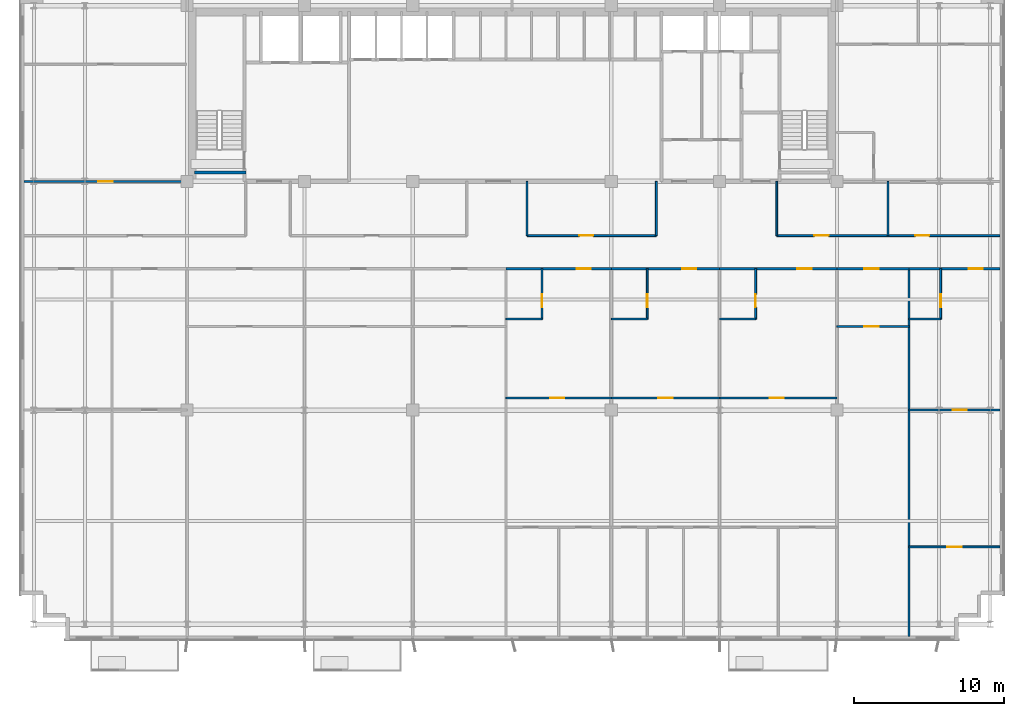
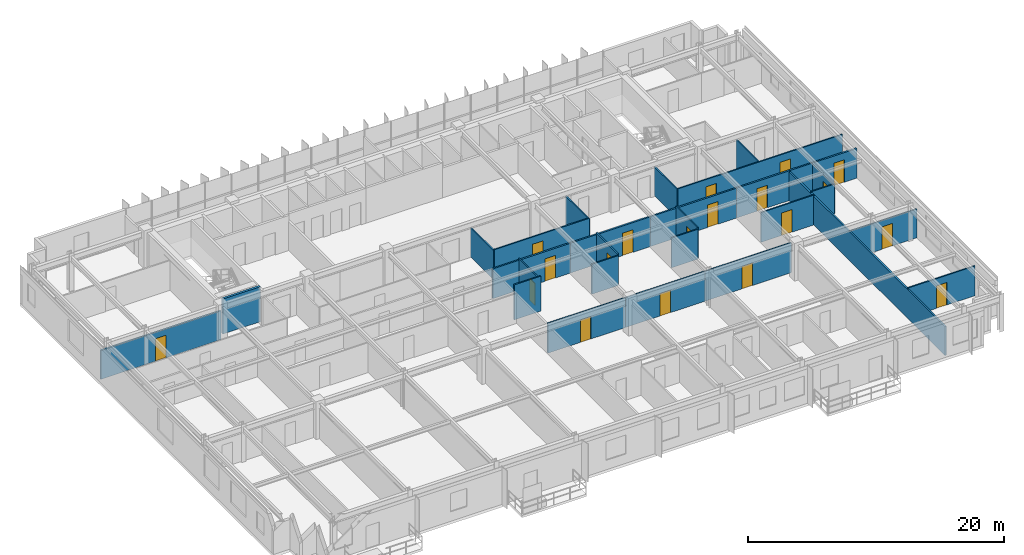
# One storey, part 16 of 22: 28 walls, 19 doors, 19 openings.
"""IFC4 building model written with IfcOpenShell, lengths in metres."""

from ifc_helpers import new_model, si_unit, direction, frame, frame_2d, origin, place, context, subcontext, project, spatial, rectangle, extrude, source, transform, mapped, material, layer, layer_set, type_object, element, fill, save


model = new_model("IFC4")

# Units and contexts
model_context = context("Model", 3, precision=1e-05, world=origin(), true_north=direction((0.0, 1.0)))
body_context = subcontext(model_context, "Body", "Model", "MODEL_VIEW")
ifc_project = project(units=[si_unit("LENGTHUNIT", "METRE"), si_unit("AREAUNIT", "SQUARE_METRE"), si_unit("VOLUMEUNIT", "CUBIC_METRE"), si_unit("PLANEANGLEUNIT", "RADIAN"), si_unit("MASSUNIT", "GRAM", prefix="KILO")], contexts=[model_context])

# Site, building, storey
site_placement = place(None, origin())
site = spatial("IfcSite", under=ifc_project, at=site_placement, CompositionType="ELEMENT")
building_placement = place(site_placement, origin())
building = spatial("IfcBuilding", under=site, at=building_placement, Name="Trelvane Seafront Commons", CompositionType="ELEMENT")
storey_placement = place(building_placement, frame((0.0, 0.0, 85.300048828125)))
storey = spatial("IfcBuildingStorey", under=building, at=storey_placement, Name="L21", CompositionType="ELEMENT", Elevation=85.300048828125)

# Wall, opening, door
ifc_material_1 = material(Name="Gypsum Drywall Acoustic Partition")
ifc_layer_1 = layer(ifc_material_1, 0.1201171875, Name="ARCH-WALL-PART120")
ifc_layer_set_1 = layer_set([ifc_layer_1], Name="Gypsum Drywall Acoustic Partition")
wall_type_1 = type_object("IfcWallType", Name="ARCH-WALL-PART120", PredefinedType="PARTITIONING", material=ifc_layer_set_1)
wall_1_placement = place(storey_placement, frame((38.199951171875, 29.800048828125, 0.0), z_axis=(0.0, 0.0, 1.0), x_axis=(1.0, 0.0, 0.0)))
wall_1 = element("IfcWall", 1, at=wall_1_placement, inside=storey, type_object=wall_type_1, Name="W-L21-CORR-N-M2-040", PredefinedType="PARTITIONING", context=body_context, shape_type="SweptSolid", body=[
    extrude(rectangle(XDim=8.60009765625, YDim=0.1201171875, at=frame_2d((4.300048828125, 0.0))), origin(), (0.0, 0.0, 1.0), 2.83984375),
])
opening_1_placement = place(wall_1_placement, frame((3.4619140625, 0.0, 0.0)))
opening_1 = element("IfcOpeningElement", 2, at=opening_1_placement, cuts=wall_1, Name="Opening D-L21-20", PredefinedType="OPENING", context=body_context, shape_type="SweptSolid", body=[
    extrude(rectangle(XDim=0.949951171875, YDim=2.14990234375, at=frame_2d((0.47509765625, 1.074951171875))), frame((0.0, 0.070068359375, 0.0), z_axis=(0.0, -1.0, 0.0), x_axis=(1.0, 0.0, 0.0)), (0.0, 0.0, 1.0), 0.14013671875),
])
ifc_material_2 = material(Name="Acoustic timber door leaf", Category="wood")
door_type_1 = type_object("IfcDoorType", Name="ARCH-DR-INT950", OperationType="NOTDEFINED", PredefinedType="DOOR", material=ifc_material_2)
shared_shape_1 = source(origin(), body_context, "Body", "SweptSolid", [
    extrude(rectangle(XDim=0.949951171875, YDim=2.14990234375, at=frame_2d((0.47509765625, 1.074951171875))), frame((0.0, 0.02490234375, 0.0), z_axis=(0.0, -1.0, 0.0), x_axis=(1.0, 0.0, 0.0)), (0.0, 0.0, 1.0), 0.050048828125),
])
door_1_placement = place(opening_1_placement, origin())
door_1 = element("IfcDoor", 3, at=door_1_placement, inside=storey, type_object=door_type_1, Name="L21 Door 20", OperationType="SINGLE_SWING_RIGHT", OverallHeight=2.14990234375, OverallWidth=0.949951171875, PredefinedType="DOOR", context=body_context, shape_type="MappedRepresentation", body=[
    mapped(shared_shape_1, transform((0.0, 0.0, 0.0), x_axis=(1.0, 0.0, 0.0), y_axis=(0.0, 1.0, 0.0), z_axis=(0.0, 0.0, 1.0), scale=1.0)),
])
fill(opening_1, door_1)

# Wall, openings, doors
wall_2_placement = place(storey_placement, frame((54.800048828125, 29.800048828125, 0.0), z_axis=(0.0, 0.0, 1.0), x_axis=(1.0, 0.0, 0.0)))
wall_2 = element("IfcWall", 4, at=wall_2_placement, inside=storey, type_object=wall_type_1, Name="W-L21-CORR-N-E-041", PredefinedType="PARTITIONING", context=body_context, shape_type="SweptSolid", body=[
    extrude(rectangle(XDim=14.849853515625, YDim=0.1201171875, at=frame_2d((7.4248046875, 0.0))), origin(), (0.0, 0.0, 1.0), 2.83984375),
])
opening_2_placement = place(wall_2_placement, frame((2.5, 0.0, 0.0)))
opening_2 = element("IfcOpeningElement", 5, at=opening_2_placement, cuts=wall_2, Name="Opening D-L21-21", PredefinedType="OPENING", context=body_context, shape_type="SweptSolid", body=[
    extrude(rectangle(XDim=0.949951171875, YDim=2.14990234375, at=frame_2d((0.47509765625, 1.074951171875))), frame((0.0, 0.070068359375, 0.0), z_axis=(0.0, -1.0, 0.0), x_axis=(1.0, 0.0, 0.0)), (0.0, 0.0, 1.0), 0.14013671875),
])
opening_3_placement = place(wall_2_placement, frame((9.199951171875, 0.0, 0.0)))
opening_3 = element("IfcOpeningElement", 6, at=opening_3_placement, cuts=wall_2, Name="Opening D-L21-22", PredefinedType="OPENING", context=body_context, shape_type="SweptSolid", body=[
    extrude(rectangle(XDim=0.949951171875, YDim=2.14990234375, at=frame_2d((0.47509765625, 1.074951171875))), frame((0.0, 0.070068359375, 0.0), z_axis=(0.0, -1.0, 0.0), x_axis=(1.0, 0.0, 0.0)), (0.0, 0.0, 1.0), 0.14013671875),
])
door_2_placement = place(opening_2_placement, origin())
door_2 = element("IfcDoor", 7, at=door_2_placement, inside=storey, type_object=door_type_1, Name="L21 Door 21", OperationType="SINGLE_SWING_LEFT", OverallHeight=2.14990234375, OverallWidth=0.949951171875, PredefinedType="DOOR", context=body_context, shape_type="MappedRepresentation", body=[
    mapped(shared_shape_1, transform((0.0, 0.0, 0.0), x_axis=(1.0, 0.0, 0.0), y_axis=(0.0, 1.0, 0.0), z_axis=(0.0, 0.0, 1.0), scale=1.0)),
])
fill(opening_2, door_2)
door_3_placement = place(opening_3_placement, origin())
door_3 = element("IfcDoor", 8, at=door_3_placement, inside=storey, type_object=door_type_1, Name="L21 Door 22", OperationType="SINGLE_SWING_RIGHT", OverallHeight=2.14990234375, OverallWidth=0.949951171875, PredefinedType="DOOR", context=body_context, shape_type="MappedRepresentation", body=[
    mapped(shared_shape_1, transform((0.0, 0.0, 0.0), x_axis=(1.0, 0.0, 0.0), y_axis=(0.0, 1.0, 0.0), z_axis=(0.0, 0.0, 1.0), scale=1.0)),
])
fill(opening_3, door_3)

# Walls
for number, where, z_axis, x_axis, name in (
    (9, (62.199951171875, 29.800048828125, 0.0), (0.0, 0.0, 1.0), (0.0, 1.0, 0.0), "W-L21-N-LAUN-DV-042"),
    (10, (38.199951171875, 29.800048828125, 0.0), (0.0, 0.0, 1.0), (0.0, 1.0, 0.0), "W-L21-N-SPUR-M2-046"),
    (11, (46.800048828125, 29.800048828125, 0.0), (0.0, 0.0, 1.0), (0.0, 1.0, 0.0), "W-L21-N-SPUR-E1-047"),
    (12, (54.800048828125, 29.800048828125, 0.0), (0.0, 0.0, 1.0), (0.0, 1.0, 0.0), "W-L21-N-SPUR-E2-048"),
):
    element("IfcWall", number, at=place(storey_placement, frame(where, z_axis=z_axis, x_axis=x_axis)), inside=storey, type_object=wall_type_1, Name=name, PredefinedType="PARTITIONING", context=body_context, shape_type="SweptSolid", body=[
        extrude(rectangle(XDim=3.599853515625, YDim=0.1201171875, at=frame_2d((1.7998046875, 0.0))), origin(), (0.0, 0.0, 1.0), 2.751953125),
    ])

# Wall, opening, door
wall_3_placement = place(storey_placement, frame((36.800048828125, 19.0, 0.0), z_axis=(0.0, 0.0, 1.0), x_axis=(1.0, 0.0, 0.0)))
wall_3 = element("IfcWall", 13, at=wall_3_placement, inside=storey, type_object=wall_type_1, Name="W-L21-U6-KL-079", PredefinedType="PARTITIONING", context=body_context, shape_type="SweptSolid", body=[
    extrude(rectangle(XDim=7.0, YDim=0.1201171875, at=frame_2d((3.5, 0.0))), origin(), (0.0, 0.0, 1.0), 2.83984375),
])
opening_4_placement = place(wall_3_placement, frame((2.93408203125, 0.0, 0.0)))
opening_4 = element("IfcOpeningElement", 14, at=opening_4_placement, cuts=wall_3, Name="Opening D-L21-42", PredefinedType="OPENING", context=body_context, shape_type="SweptSolid", body=[
    extrude(rectangle(XDim=0.949951171875, YDim=2.14990234375, at=frame_2d((0.47509765625, 1.074951171875))), frame((0.0, 0.070068359375, 0.0), z_axis=(0.0, -1.0, 0.0), x_axis=(1.0, 0.0, 0.0)), (0.0, 0.0, 1.0), 0.14013671875),
])
door_4_placement = place(opening_4_placement, origin())
door_4 = element("IfcDoor", 15, at=door_4_placement, inside=storey, type_object=door_type_1, Name="L21 Door 42", OperationType="SINGLE_SWING_RIGHT", OverallHeight=2.14990234375, OverallWidth=0.949951171875, PredefinedType="DOOR", context=body_context, shape_type="MappedRepresentation", body=[
    mapped(shared_shape_1, transform((0.0, 0.0, 0.0), x_axis=(1.0, 0.0, 0.0), y_axis=(0.0, 1.0, 0.0), z_axis=(0.0, 0.0, 1.0), scale=1.0)),
])
fill(opening_4, door_4)

wall_4_placement = place(storey_placement, frame((39.199951171875, 24.25, 0.0), z_axis=(0.0, 0.0, 1.0), x_axis=(0.0, 1.0, 0.0)))
wall_4 = element("IfcWall", 16, at=wall_4_placement, inside=storey, type_object=wall_type_1, Name="W-L21-U6-BE-080", PredefinedType="PARTITIONING", context=body_context, shape_type="SweptSolid", body=[
    extrude(rectangle(XDim=3.35009765625, YDim=0.1201171875, at=frame_2d((1.675048828125, 0.0))), origin(), (0.0, 0.0, 1.0), 2.989990234375),
])
opening_5_placement = place(wall_4_placement, frame((0.800048828125, 0.0, 0.0)))
opening_5 = element("IfcOpeningElement", 17, at=opening_5_placement, cuts=wall_4, Name="Opening D-L21-43", PredefinedType="OPENING", context=body_context, shape_type="SweptSolid", body=[
    extrude(rectangle(XDim=0.85009765625, YDim=2.10009765625, at=frame_2d((0.425048828125, 1.050048828125))), frame((0.0, 0.070068359375, 0.0), z_axis=(0.0, -1.0, 0.0), x_axis=(1.0, 0.0, 0.0)), (0.0, 0.0, 1.0), 0.14013671875),
])
door_type_2 = type_object("IfcDoorType", Name="ARCH-DR-INT850", OperationType="NOTDEFINED", PredefinedType="DOOR", material=ifc_material_2)
shared_shape_2 = source(origin(), body_context, "Body", "SweptSolid", [
    extrude(rectangle(XDim=0.85009765625, YDim=2.10009765625, at=frame_2d((0.425048828125, 1.050048828125))), frame((0.0, 0.02490234375, 0.0), z_axis=(0.0, -1.0, 0.0), x_axis=(1.0, 0.0, 0.0)), (0.0, 0.0, 1.0), 0.050048828125),
])
door_5_placement = place(opening_5_placement, origin())
door_5 = element("IfcDoor", 18, at=door_5_placement, inside=storey, type_object=door_type_2, Name="L21 Door 43", OperationType="SINGLE_SWING_LEFT", OverallHeight=2.10009765625, OverallWidth=0.85009765625, PredefinedType="DOOR", context=body_context, shape_type="MappedRepresentation", body=[
    mapped(shared_shape_2, transform((0.0, 0.0, 0.0), x_axis=(1.0, 0.0, 0.0), y_axis=(0.0, 1.0, 0.0), z_axis=(0.0, 0.0, 1.0), scale=1.0)),
])
fill(opening_5, door_5)

# Wall
wall_5_placement = place(storey_placement, frame((36.800048828125, 24.25, 0.0), z_axis=(0.0, 0.0, 1.0), x_axis=(1.0, 0.0, 0.0)))
element("IfcWall", 19, at=wall_5_placement, inside=storey, type_object=wall_type_1, Name="W-L21-U6-BS-081", PredefinedType="PARTITIONING", context=body_context, shape_type="SweptSolid", body=[
    extrude(rectangle(XDim=2.39990234375, YDim=0.1201171875, at=frame_2d((1.199951171875, 0.0))), origin(), (0.0, 0.0, 1.0), 3.33984375),
])

# Wall, opening, door
wall_6_placement = place(storey_placement, frame((43.800048828125, 19.0, 0.0), z_axis=(0.0, 0.0, 1.0), x_axis=(1.0, 0.0, 0.0)))
wall_6 = element("IfcWall", 20, at=wall_6_placement, inside=storey, type_object=wall_type_1, Name="W-L21-U7-KL-086", PredefinedType="PARTITIONING", context=body_context, shape_type="SweptSolid", body=[
    extrude(rectangle(XDim=7.199951171875, YDim=0.1201171875, at=frame_2d((3.60009765625, 0.0))), origin(), (0.0, 0.0, 1.0), 2.83984375),
])
opening_6_placement = place(wall_6_placement, frame((3.125, 0.0, 0.0)))
opening_6 = element("IfcOpeningElement", 21, at=opening_6_placement, cuts=wall_6, Name="Opening D-L21-47", PredefinedType="OPENING", context=body_context, shape_type="SweptSolid", body=[
    extrude(rectangle(XDim=0.949951171875, YDim=2.14990234375, at=frame_2d((0.47509765625, 1.074951171875))), frame((0.0, 0.070068359375, 0.0), z_axis=(0.0, -1.0, 0.0), x_axis=(1.0, 0.0, 0.0)), (0.0, 0.0, 1.0), 0.14013671875),
])
door_6_placement = place(opening_6_placement, origin())
door_6 = element("IfcDoor", 22, at=door_6_placement, inside=storey, type_object=door_type_1, Name="L21 Door 47", OperationType="SINGLE_SWING_LEFT", OverallHeight=2.14990234375, OverallWidth=0.949951171875, PredefinedType="DOOR", context=body_context, shape_type="MappedRepresentation", body=[
    mapped(shared_shape_1, transform((0.0, 0.0, 0.0), x_axis=(1.0, 0.0, 0.0), y_axis=(0.0, 1.0, 0.0), z_axis=(0.0, 0.0, 1.0), scale=1.0)),
])
fill(opening_6, door_6)

wall_7_placement = place(storey_placement, frame((46.199951171875, 24.25, 0.0), z_axis=(0.0, 0.0, 1.0), x_axis=(0.0, 1.0, 0.0)))
wall_7 = element("IfcWall", 23, at=wall_7_placement, inside=storey, type_object=wall_type_1, Name="W-L21-U7-BE-087", PredefinedType="PARTITIONING", context=body_context, shape_type="SweptSolid", body=[
    extrude(rectangle(XDim=3.35009765625, YDim=0.1201171875, at=frame_2d((1.675048828125, 0.0))), origin(), (0.0, 0.0, 1.0), 2.989990234375),
])
opening_7_placement = place(wall_7_placement, frame((0.800048828125, 0.0, 0.0)))
opening_7 = element("IfcOpeningElement", 24, at=opening_7_placement, cuts=wall_7, Name="Opening D-L21-48", PredefinedType="OPENING", context=body_context, shape_type="SweptSolid", body=[
    extrude(rectangle(XDim=0.85009765625, YDim=2.10009765625, at=frame_2d((0.425048828125, 1.050048828125))), frame((0.0, 0.070068359375, 0.0), z_axis=(0.0, -1.0, 0.0), x_axis=(1.0, 0.0, 0.0)), (0.0, 0.0, 1.0), 0.14013671875),
])
door_7_placement = place(opening_7_placement, origin())
door_7 = element("IfcDoor", 25, at=door_7_placement, inside=storey, type_object=door_type_2, Name="L21 Door 48", OperationType="SINGLE_SWING_RIGHT", OverallHeight=2.10009765625, OverallWidth=0.85009765625, PredefinedType="DOOR", context=body_context, shape_type="MappedRepresentation", body=[
    mapped(shared_shape_2, transform((0.0, 0.0, 0.0), x_axis=(1.0, 0.0, 0.0), y_axis=(0.0, 1.0, 0.0), z_axis=(0.0, 0.0, 1.0), scale=1.0)),
])
fill(opening_7, door_7)

# Wall
wall_8_placement = place(storey_placement, frame((43.800048828125, 24.25, 0.0), z_axis=(0.0, 0.0, 1.0), x_axis=(1.0, 0.0, 0.0)))
element("IfcWall", 26, at=wall_8_placement, inside=storey, type_object=wall_type_1, Name="W-L21-U7-BS-088", PredefinedType="PARTITIONING", context=body_context, shape_type="SweptSolid", body=[
    extrude(rectangle(XDim=2.39990234375, YDim=0.1201171875, at=frame_2d((1.199951171875, 0.0))), origin(), (0.0, 0.0, 1.0), 2.83984375),
])

# Wall, opening, door
wall_9_placement = place(storey_placement, frame((51.0, 19.0, 0.0), z_axis=(0.0, 0.0, 1.0), x_axis=(1.0, 0.0, 0.0)))
wall_9 = element("IfcWall", 27, at=wall_9_placement, inside=storey, type_object=wall_type_1, Name="W-L21-U8-KL-095", PredefinedType="PARTITIONING", context=body_context, shape_type="SweptSolid", body=[
    extrude(rectangle(XDim=7.800048828125, YDim=0.1201171875, at=frame_2d((3.89990234375, 0.0))), origin(), (0.0, 0.0, 1.0), 2.83984375),
])
opening_8_placement = place(wall_9_placement, frame((3.3330078125, 0.0, 0.0)))
opening_8 = element("IfcOpeningElement", 28, at=opening_8_placement, cuts=wall_9, Name="Opening D-L21-53", PredefinedType="OPENING", context=body_context, shape_type="SweptSolid", body=[
    extrude(rectangle(XDim=0.949951171875, YDim=2.14990234375, at=frame_2d((0.47509765625, 1.074951171875))), frame((0.0, 0.070068359375, 0.0), z_axis=(0.0, -1.0, 0.0), x_axis=(1.0, 0.0, 0.0)), (0.0, 0.0, 1.0), 0.14013671875),
])
door_8_placement = place(opening_8_placement, origin())
door_8 = element("IfcDoor", 29, at=door_8_placement, inside=storey, type_object=door_type_1, Name="L21 Door 53", OperationType="SINGLE_SWING_LEFT", OverallHeight=2.14990234375, OverallWidth=0.949951171875, PredefinedType="DOOR", context=body_context, shape_type="MappedRepresentation", body=[
    mapped(shared_shape_1, transform((0.0, 0.0, 0.0), x_axis=(1.0, 0.0, 0.0), y_axis=(0.0, 1.0, 0.0), z_axis=(0.0, 0.0, 1.0), scale=1.0)),
])
fill(opening_8, door_8)

wall_10_placement = place(storey_placement, frame((53.39990234375, 24.25, 0.0), z_axis=(0.0, 0.0, 1.0), x_axis=(0.0, 1.0, 0.0)))
wall_10 = element("IfcWall", 30, at=wall_10_placement, inside=storey, type_object=wall_type_1, Name="W-L21-U8-BE-096", PredefinedType="PARTITIONING", context=body_context, shape_type="SweptSolid", body=[
    extrude(rectangle(XDim=3.35009765625, YDim=0.1201171875, at=frame_2d((1.675048828125, 0.0))), origin(), (0.0, 0.0, 1.0), 2.989990234375),
])
opening_9_placement = place(wall_10_placement, frame((0.800048828125, 0.0, 0.0)))
opening_9 = element("IfcOpeningElement", 31, at=opening_9_placement, cuts=wall_10, Name="Opening D-L21-54", PredefinedType="OPENING", context=body_context, shape_type="SweptSolid", body=[
    extrude(rectangle(XDim=0.85009765625, YDim=2.10009765625, at=frame_2d((0.425048828125, 1.050048828125))), frame((0.0, 0.070068359375, 0.0), z_axis=(0.0, -1.0, 0.0), x_axis=(1.0, 0.0, 0.0)), (0.0, 0.0, 1.0), 0.14013671875),
])
door_9_placement = place(opening_9_placement, origin())
door_9 = element("IfcDoor", 32, at=door_9_placement, inside=storey, type_object=door_type_2, Name="L21 Door 54", OperationType="SINGLE_SWING_RIGHT", OverallHeight=2.10009765625, OverallWidth=0.85009765625, PredefinedType="DOOR", context=body_context, shape_type="MappedRepresentation", body=[
    mapped(shared_shape_2, transform((0.0, 0.0, 0.0), x_axis=(1.0, 0.0, 0.0), y_axis=(0.0, 1.0, 0.0), z_axis=(0.0, 0.0, 1.0), scale=1.0)),
])
fill(opening_9, door_9)

# Wall
wall_11_placement = place(storey_placement, frame((51.0, 24.25, 0.0), z_axis=(0.0, 0.0, 1.0), x_axis=(1.0, 0.0, 0.0)))
element("IfcWall", 33, at=wall_11_placement, inside=storey, type_object=wall_type_1, Name="W-L21-U8-BS-097", PredefinedType="PARTITIONING", context=body_context, shape_type="SweptSolid", body=[
    extrude(rectangle(XDim=2.39990234375, YDim=0.1201171875, at=frame_2d((1.199951171875, 0.0))), origin(), (0.0, 0.0, 1.0), 2.83984375),
])

# Wall, opening, door
wall_12_placement = place(storey_placement, frame((58.800048828125, 23.75, 0.0), z_axis=(0.0, 0.0, 1.0), x_axis=(1.0, 0.0, 0.0)))
wall_12 = element("IfcWall", 34, at=wall_12_placement, inside=storey, type_object=wall_type_1, Name="W-L21-U9-DIV-103", PredefinedType="PARTITIONING", context=body_context, shape_type="SweptSolid", body=[
    extrude(rectangle(XDim=4.800048828125, YDim=0.1201171875, at=frame_2d((2.39990234375, 0.0))), origin(), (0.0, 0.0, 1.0), 2.83984375),
])
opening_10_placement = place(wall_12_placement, frame((1.833984375, 0.0, 0.0)))
opening_10 = element("IfcOpeningElement", 35, at=opening_10_placement, cuts=wall_12, Name="Opening D-L21-59", PredefinedType="OPENING", context=body_context, shape_type="SweptSolid", body=[
    extrude(rectangle(XDim=0.949951171875, YDim=2.14990234375, at=frame_2d((0.47509765625, 1.074951171875))), frame((0.0, 0.070068359375, 0.0), z_axis=(0.0, -1.0, 0.0), x_axis=(1.0, 0.0, 0.0)), (0.0, 0.0, 1.0), 0.14013671875),
])
door_10_placement = place(opening_10_placement, origin())
door_10 = element("IfcDoor", 36, at=door_10_placement, inside=storey, type_object=door_type_1, Name="L21 Door 59", OperationType="SINGLE_SWING_LEFT", OverallHeight=2.14990234375, OverallWidth=0.949951171875, PredefinedType="DOOR", context=body_context, shape_type="MappedRepresentation", body=[
    mapped(shared_shape_1, transform((0.0, 0.0, 0.0), x_axis=(1.0, 0.0, 0.0), y_axis=(0.0, 1.0, 0.0), z_axis=(0.0, 0.0, 1.0), scale=1.0)),
])
fill(opening_10, door_10)

wall_13_placement = place(storey_placement, frame((63.60009765625, 18.199951171875, 0.0), z_axis=(0.0, 0.0, 1.0), x_axis=(1.0, 0.0, 0.0)))
wall_13 = element("IfcWall", 37, at=wall_13_placement, inside=storey, type_object=wall_type_1, Name="W-L21-U10-KL-104", PredefinedType="PARTITIONING", context=body_context, shape_type="SweptSolid", body=[
    extrude(rectangle(XDim=6.039794921875, YDim=0.1201171875, at=frame_2d((3.02001953125, 0.0))), origin(), (0.0, 0.0, 1.0), 2.751953125),
])
opening_11_placement = place(wall_13_placement, frame((2.906005859375, 0.0, 0.0)))
opening_11 = element("IfcOpeningElement", 38, at=opening_11_placement, cuts=wall_13, Name="Opening D-L21-60", PredefinedType="OPENING", context=body_context, shape_type="SweptSolid", body=[
    extrude(rectangle(XDim=0.949951171875, YDim=2.14990234375, at=frame_2d((0.47509765625, 1.074951171875))), frame((0.0, 0.070068359375, 0.0), z_axis=(0.0, -1.0, 0.0), x_axis=(1.0, 0.0, 0.0)), (0.0, 0.0, 1.0), 0.14013671875),
])
door_11_placement = place(opening_11_placement, origin())
door_11 = element("IfcDoor", 39, at=door_11_placement, inside=storey, type_object=door_type_1, Name="L21 Door 60", OperationType="SINGLE_SWING_RIGHT", OverallHeight=2.14990234375, OverallWidth=0.949951171875, PredefinedType="DOOR", context=body_context, shape_type="MappedRepresentation", body=[
    mapped(shared_shape_1, transform((0.0, 0.0, 0.0), x_axis=(1.0, 0.0, 0.0), y_axis=(0.0, 1.0, 0.0), z_axis=(0.0, 0.0, 1.0), scale=1.0)),
])
fill(opening_11, door_11)

wall_14_placement = place(storey_placement, frame((65.70361328125, 24.25, 0.0), z_axis=(0.0, 0.0, 1.0), x_axis=(0.0, 1.0, 0.0)))
wall_14 = element("IfcWall", 40, at=wall_14_placement, inside=storey, type_object=wall_type_1, Name="W-L21-U10-BE-105", PredefinedType="PARTITIONING", context=body_context, shape_type="SweptSolid", body=[
    extrude(rectangle(XDim=3.35009765625, YDim=0.1201171875, at=frame_2d((1.675048828125, 0.0))), origin(), (0.0, 0.0, 1.0), 2.83984375),
])
opening_12_placement = place(wall_14_placement, frame((0.800048828125, 0.0, 0.0)))
opening_12 = element("IfcOpeningElement", 41, at=opening_12_placement, cuts=wall_14, Name="Opening D-L21-61", PredefinedType="OPENING", context=body_context, shape_type="SweptSolid", body=[
    extrude(rectangle(XDim=0.85009765625, YDim=2.10009765625, at=frame_2d((0.425048828125, 1.050048828125))), frame((0.0, 0.070068359375, 0.0), z_axis=(0.0, -1.0, 0.0), x_axis=(1.0, 0.0, 0.0)), (0.0, 0.0, 1.0), 0.14013671875),
])
door_12_placement = place(opening_12_placement, origin())
door_12 = element("IfcDoor", 42, at=door_12_placement, inside=storey, type_object=door_type_2, Name="L21 Door 61", OperationType="SINGLE_SWING_LEFT", OverallHeight=2.10009765625, OverallWidth=0.85009765625, PredefinedType="DOOR", context=body_context, shape_type="MappedRepresentation", body=[
    mapped(shared_shape_2, transform((0.0, 0.0, 0.0), x_axis=(1.0, 0.0, 0.0), y_axis=(0.0, 1.0, 0.0), z_axis=(0.0, 0.0, 1.0), scale=1.0)),
])
fill(opening_12, door_12)

# Wall
wall_15_placement = place(storey_placement, frame((63.60009765625, 24.25, 0.0), z_axis=(0.0, 0.0, 1.0), x_axis=(1.0, 0.0, 0.0)))
element("IfcWall", 43, at=wall_15_placement, inside=storey, type_object=wall_type_1, Name="W-L21-U10-BS-106", PredefinedType="PARTITIONING", context=body_context, shape_type="SweptSolid", body=[
    extrude(rectangle(XDim=2.103515625, YDim=0.1201171875, at=frame_2d((1.0517578125, 0.0))), origin(), (0.0, 0.0, 1.0), 2.83984375),
])

# Wall, opening, door
wall_16_placement = place(storey_placement, frame((63.60009765625, 9.10009765625, 0.0), z_axis=(0.0, 0.0, 1.0), x_axis=(1.0, 0.0, 0.0)))
wall_16 = element("IfcWall", 44, at=wall_16_placement, inside=storey, type_object=wall_type_1, Name="W-L21-U10-YM-1-108", PredefinedType="PARTITIONING", context=body_context, shape_type="SweptSolid", body=[
    extrude(rectangle(XDim=6.039794921875, YDim=0.1201171875, at=frame_2d((3.02001953125, 0.0))), origin(), (0.0, 0.0, 1.0), 2.83984375),
])
opening_13_placement = place(wall_16_placement, frame((2.544921875, 0.0, 0.0)))
opening_13 = element("IfcOpeningElement", 45, at=opening_13_placement, cuts=wall_16, Name="Opening D-L21-63", PredefinedType="OPENING", context=body_context, shape_type="SweptSolid", body=[
    extrude(rectangle(XDim=0.949951171875, YDim=2.14990234375, at=frame_2d((0.47509765625, 1.074951171875))), frame((0.0, 0.070068359375, 0.0), z_axis=(0.0, -1.0, 0.0), x_axis=(1.0, 0.0, 0.0)), (0.0, 0.0, 1.0), 0.14013671875),
])
door_13_placement = place(opening_13_placement, origin())
door_13 = element("IfcDoor", 46, at=door_13_placement, inside=storey, type_object=door_type_1, Name="L21 Door 63", OperationType="SINGLE_SWING_LEFT", OverallHeight=2.14990234375, OverallWidth=0.949951171875, PredefinedType="DOOR", context=body_context, shape_type="MappedRepresentation", body=[
    mapped(shared_shape_1, transform((0.0, 0.0, 0.0), x_axis=(1.0, 0.0, 0.0), y_axis=(0.0, 1.0, 0.0), z_axis=(0.0, 0.0, 1.0), scale=1.0)),
])
fill(opening_13, door_13)

ifc_layer_2 = layer(ifc_material_1, 0.14990234375, Name="ARCH-WALL-PART150")
ifc_layer_set_2 = layer_set([ifc_layer_2], Name="Gypsum Drywall Acoustic Partition")
wall_type_2 = type_object("IfcWallType", Name="ARCH-WALL-PART150", PredefinedType="PARTITIONING", material=ifc_layer_set_2)
wall_17_placement = place(storey_placement, frame((4.75, 33.39990234375, 0.0), z_axis=(0.0, 0.0, 1.0), x_axis=(1.0, 0.0, 0.0)))
wall_17 = element("IfcWall", 47, at=wall_17_placement, inside=storey, type_object=wall_type_2, Name="W-L21-NW-ENT-050", PredefinedType="PARTITIONING", context=body_context, shape_type="SweptSolid", body=[
    extrude(rectangle(XDim=10.85009765625, YDim=0.14990234375, at=frame_2d((5.425048828125, 0.0))), origin(), (0.0, 0.0, 1.0), 2.751953125),
])
opening_14_placement = place(wall_17_placement, frame((4.93994140625, 0.0, 0.0)))
opening_14 = element("IfcOpeningElement", 48, at=opening_14_placement, cuts=wall_17, Name="Opening FD-L21-24", PredefinedType="OPENING", context=body_context, shape_type="SweptSolid", body=[
    extrude(rectangle(XDim=0.949951171875, YDim=2.14990234375, at=frame_2d((0.47509765625, 1.074951171875))), frame((0.0, 0.0849609375, 0.0), z_axis=(0.0, -1.0, 0.0), x_axis=(1.0, 0.0, 0.0)), (0.0, 0.0, 1.0), 0.169921875),
])
ifc_material_3 = material(Name="Powder-coated aluminium frame", Category="aluminium")
door_type_3 = type_object("IfcDoorType", Name="ARCH-DR-FD60-950", OperationType="NOTDEFINED", PredefinedType="DOOR", material=ifc_material_3)
door_14_placement = place(opening_14_placement, origin())
door_14 = element("IfcDoor", 49, at=door_14_placement, inside=storey, type_object=door_type_3, Name="L21 NW Suite Entrance Door", OperationType="SINGLE_SWING_RIGHT", OverallHeight=2.14990234375, OverallWidth=0.949951171875, PredefinedType="DOOR", context=body_context, shape_type="MappedRepresentation", body=[
    mapped(shared_shape_1, transform((0.0, 0.0, 0.0), x_axis=(1.0, 0.0, 0.0), y_axis=(0.0, 1.0, 0.0), z_axis=(0.0, 0.0, 1.0), scale=1.0)),
])
fill(opening_14, door_14)

# Wall
wall_18_placement = place(storey_placement, frame((63.60009765625, 3.14501953125, 0.0), z_axis=(0.0, 0.0, 1.0), x_axis=(0.0, 1.0, 0.0)))
element("IfcWall", 50, at=wall_18_placement, inside=storey, type_object=wall_type_2, Name="W-L21-PW-9-068", PredefinedType="PARTITIONING", context=body_context, shape_type="SweptSolid", body=[
    extrude(rectangle(XDim=24.455078125, YDim=0.14990234375, at=frame_2d((12.2275390625, 0.0))), origin(), (0.0, 0.0, 1.0), 2.751953125),
])

# Wall, opening, door
wall_19_placement = place(storey_placement, frame((36.800048828125, 27.60009765625, 0.0), z_axis=(0.0, 0.0, 1.0), x_axis=(1.0, 0.0, 0.0)))
wall_19 = element("IfcWall", 51, at=wall_19_placement, inside=storey, type_object=wall_type_2, Name="W-L21-CS-BAY-6-082", PredefinedType="PARTITIONING", context=body_context, shape_type="SweptSolid", body=[
    extrude(rectangle(XDim=7.0, YDim=0.14990234375, at=frame_2d((3.5, 0.0))), origin(), (0.0, 0.0, 1.0), 2.83984375),
])
opening_15_placement = place(wall_19_placement, frame((4.699951171875, 0.0, 0.0)))
opening_15 = element("IfcOpeningElement", 52, at=opening_15_placement, cuts=wall_19, Name="Opening FD-L21-44", PredefinedType="OPENING", context=body_context, shape_type="SweptSolid", body=[
    extrude(rectangle(XDim=0.949951171875, YDim=2.14990234375, at=frame_2d((0.47509765625, 1.074951171875))), frame((0.0, 0.0849609375, 0.0), z_axis=(0.0, -1.0, 0.0), x_axis=(1.0, 0.0, 0.0)), (0.0, 0.0, 1.0), 0.169921875),
])
door_15_placement = place(opening_15_placement, origin())
door_15 = element("IfcDoor", 53, at=door_15_placement, inside=storey, type_object=door_type_3, Name="L21 Unit 06 Entrance Door", OperationType="SINGLE_SWING_RIGHT", OverallHeight=2.14990234375, OverallWidth=0.949951171875, PredefinedType="DOOR", context=body_context, shape_type="MappedRepresentation", body=[
    mapped(shared_shape_1, transform((0.0, 0.0, 0.0), x_axis=(1.0, 0.0, 0.0), y_axis=(0.0, 1.0, 0.0), z_axis=(0.0, 0.0, 1.0), scale=1.0)),
])
fill(opening_15, door_15)

wall_20_placement = place(storey_placement, frame((43.800048828125, 27.60009765625, 0.0), z_axis=(0.0, 0.0, 1.0), x_axis=(1.0, 0.0, 0.0)))
wall_20 = element("IfcWall", 54, at=wall_20_placement, inside=storey, type_object=wall_type_2, Name="W-L21-CS-BAY-7-089", PredefinedType="PARTITIONING", context=body_context, shape_type="SweptSolid", body=[
    extrude(rectangle(XDim=7.199951171875, YDim=0.14990234375, at=frame_2d((3.60009765625, 0.0))), origin(), (0.0, 0.0, 1.0), 2.83984375),
])
opening_16_placement = place(wall_20_placement, frame((4.7060546875, 0.0, 0.0)))
opening_16 = element("IfcOpeningElement", 55, at=opening_16_placement, cuts=wall_20, Name="Opening FD-L21-49", PredefinedType="OPENING", context=body_context, shape_type="SweptSolid", body=[
    extrude(rectangle(XDim=0.949951171875, YDim=2.14990234375, at=frame_2d((0.47509765625, 1.074951171875))), frame((0.0, 0.0849609375, 0.0), z_axis=(0.0, -1.0, 0.0), x_axis=(1.0, 0.0, 0.0)), (0.0, 0.0, 1.0), 0.169921875),
])
door_16_placement = place(opening_16_placement, origin())
door_16 = element("IfcDoor", 56, at=door_16_placement, inside=storey, type_object=door_type_3, Name="L21 Unit 07 Entrance Door", OperationType="SINGLE_SWING_LEFT", OverallHeight=2.14990234375, OverallWidth=0.949951171875, PredefinedType="DOOR", context=body_context, shape_type="MappedRepresentation", body=[
    mapped(shared_shape_1, transform((0.0, 0.0, 0.0), x_axis=(1.0, 0.0, 0.0), y_axis=(0.0, 1.0, 0.0), z_axis=(0.0, 0.0, 1.0), scale=1.0)),
])
fill(opening_16, door_16)

wall_21_placement = place(storey_placement, frame((51.0, 27.60009765625, 0.0), z_axis=(0.0, 0.0, 1.0), x_axis=(1.0, 0.0, 0.0)))
wall_21 = element("IfcWall", 57, at=wall_21_placement, inside=storey, type_object=wall_type_2, Name="W-L21-CS-BAY-8-098", PredefinedType="PARTITIONING", context=body_context, shape_type="SweptSolid", body=[
    extrude(rectangle(XDim=7.800048828125, YDim=0.14990234375, at=frame_2d((3.89990234375, 0.0))), origin(), (0.0, 0.0, 1.0), 2.83984375),
])
opening_17_placement = place(wall_21_placement, frame((5.172119140625, 0.0, 0.0)))
opening_17 = element("IfcOpeningElement", 58, at=opening_17_placement, cuts=wall_21, Name="Opening FD-L21-55", PredefinedType="OPENING", context=body_context, shape_type="SweptSolid", body=[
    extrude(rectangle(XDim=0.949951171875, YDim=2.14990234375, at=frame_2d((0.47509765625, 1.074951171875))), frame((0.0, 0.0849609375, 0.0), z_axis=(0.0, -1.0, 0.0), x_axis=(1.0, 0.0, 0.0)), (0.0, 0.0, 1.0), 0.169921875),
])
door_17_placement = place(opening_17_placement, origin())
door_17 = element("IfcDoor", 59, at=door_17_placement, inside=storey, type_object=door_type_3, Name="L21 Unit 08 Entrance Door", OperationType="SINGLE_SWING_LEFT", OverallHeight=2.14990234375, OverallWidth=0.949951171875, PredefinedType="DOOR", context=body_context, shape_type="MappedRepresentation", body=[
    mapped(shared_shape_1, transform((0.0, 0.0, 0.0), x_axis=(1.0, 0.0, 0.0), y_axis=(0.0, 1.0, 0.0), z_axis=(0.0, 0.0, 1.0), scale=1.0)),
])
fill(opening_17, door_17)

wall_22_placement = place(storey_placement, frame((58.800048828125, 27.60009765625, 0.0), z_axis=(0.0, 0.0, 1.0), x_axis=(1.0, 0.0, 0.0)))
wall_22 = element("IfcWall", 60, at=wall_22_placement, inside=storey, type_object=wall_type_2, Name="W-L21-CS-BAY-9-102", PredefinedType="PARTITIONING", context=body_context, shape_type="SweptSolid", body=[
    extrude(rectangle(XDim=4.800048828125, YDim=0.14990234375, at=frame_2d((2.39990234375, 0.0))), origin(), (0.0, 0.0, 1.0), 2.83984375),
])
opening_18_placement = place(wall_22_placement, frame((1.833984375, 0.0, 0.0)))
opening_18 = element("IfcOpeningElement", 61, at=opening_18_placement, cuts=wall_22, Name="Opening FD-L21-58", PredefinedType="OPENING", context=body_context, shape_type="SweptSolid", body=[
    extrude(rectangle(XDim=0.949951171875, YDim=2.14990234375, at=frame_2d((0.47509765625, 1.074951171875))), frame((0.0, 0.0849609375, 0.0), z_axis=(0.0, -1.0, 0.0), x_axis=(1.0, 0.0, 0.0)), (0.0, 0.0, 1.0), 0.169921875),
])
door_18_placement = place(opening_18_placement, origin())
door_18 = element("IfcDoor", 62, at=door_18_placement, inside=storey, type_object=door_type_3, Name="L21 Bay 09 Entrance Door", OperationType="SINGLE_SWING_RIGHT", OverallHeight=2.14990234375, OverallWidth=0.949951171875, PredefinedType="DOOR", context=body_context, shape_type="MappedRepresentation", body=[
    mapped(shared_shape_1, transform((0.0, 0.0, 0.0), x_axis=(1.0, 0.0, 0.0), y_axis=(0.0, 1.0, 0.0), z_axis=(0.0, 0.0, 1.0), scale=1.0)),
])
fill(opening_18, door_18)

wall_23_placement = place(storey_placement, frame((63.60009765625, 27.60009765625, 0.0), z_axis=(0.0, 0.0, 1.0), x_axis=(1.0, 0.0, 0.0)))
wall_23 = element("IfcWall", 63, at=wall_23_placement, inside=storey, type_object=wall_type_2, Name="W-L21-CS-BAY-10-107", PredefinedType="PARTITIONING", context=body_context, shape_type="SweptSolid", body=[
    extrude(rectangle(XDim=6.054931640625, YDim=0.14990234375, at=frame_2d((3.02734375, 0.0))), origin(), (0.0, 0.0, 1.0), 2.83984375),
])
opening_19_placement = place(wall_23_placement, frame((3.9609375, 0.0, 0.0)))
opening_19 = element("IfcOpeningElement", 64, at=opening_19_placement, cuts=wall_23, Name="Opening FD-L21-62", PredefinedType="OPENING", context=body_context, shape_type="SweptSolid", body=[
    extrude(rectangle(XDim=0.949951171875, YDim=2.14990234375, at=frame_2d((0.47509765625, 1.074951171875))), frame((0.0, 0.0849609375, 0.0), z_axis=(0.0, -1.0, 0.0), x_axis=(1.0, 0.0, 0.0)), (0.0, 0.0, 1.0), 0.169921875),
])
door_19_placement = place(opening_19_placement, origin())
door_19 = element("IfcDoor", 65, at=door_19_placement, inside=storey, type_object=door_type_3, Name="L21 Unit 10 Entrance Door", OperationType="SINGLE_SWING_RIGHT", OverallHeight=2.14990234375, OverallWidth=0.949951171875, PredefinedType="DOOR", context=body_context, shape_type="MappedRepresentation", body=[
    mapped(shared_shape_1, transform((0.0, 0.0, 0.0), x_axis=(1.0, 0.0, 0.0), y_axis=(0.0, 1.0, 0.0), z_axis=(0.0, 0.0, 1.0), scale=1.0)),
])
fill(opening_19, door_19)

# Wall
ifc_material_4 = material(Name="Concrete C50/60", Category="concrete")
ifc_layer_3 = layer(ifc_material_4, 0.199951171875, Name="STR-WALL-STAIR200")
ifc_layer_set_3 = layer_set([ifc_layer_3], Name="Concrete C50/60")
wall_type_3 = type_object("IfcWallType", Name="STR-WALL-STAIR200", PredefinedType="SHEAR", material=ifc_layer_set_3)
wall_24_placement = place(storey_placement, frame((16.10009765625, 34.0, 0.0), z_axis=(0.0, 0.0, 1.0), x_axis=(1.0, 0.0, 0.0)))
element("IfcWall", 66, at=wall_24_placement, inside=storey, type_object=wall_type_3, Name="W-L21-ST1-S-004", PredefinedType="SHEAR", context=body_context, shape_type="SweptSolid", body=[
    extrude(rectangle(XDim=3.39990234375, YDim=0.199951171875, at=frame_2d((1.699951171875, 0.0))), origin(), (0.0, 0.0, 1.0), 3.33984375),
])

save(model, "model.ifc")
